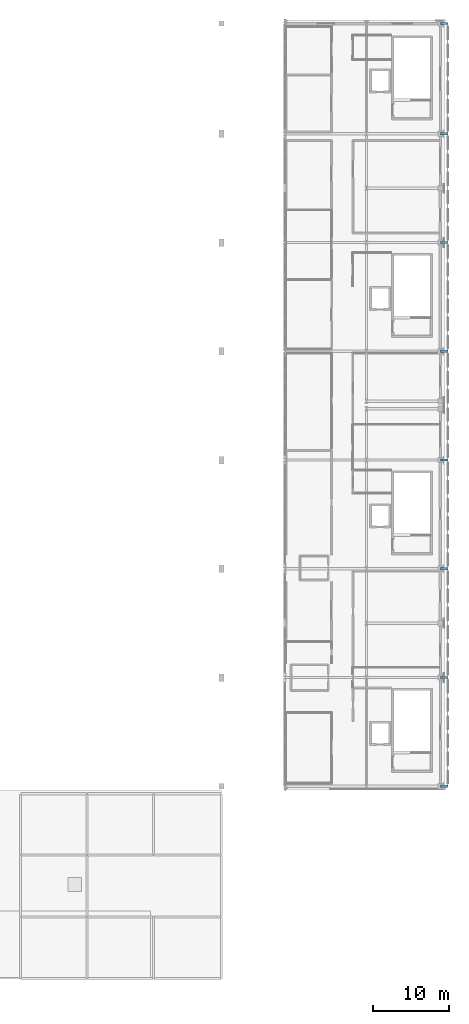
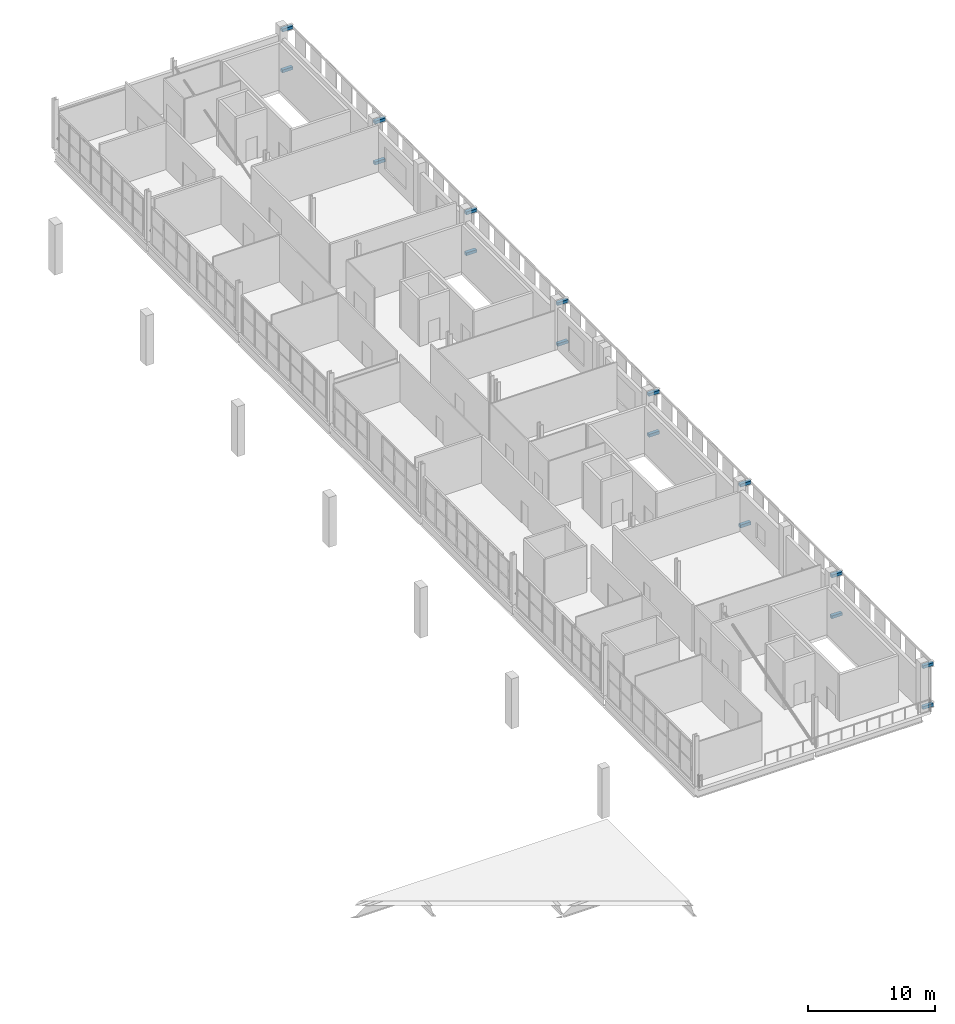
# One storey, part 41 of 51: 16 discrete accessories.
"""IFC4 building model written with IfcOpenShell, lengths in metres."""

from ifc_helpers import new_model, si_unit, direction, frame, origin, origin_2d, place, context, subcontext, project, spatial, rectangle, extrude, material, type_object, element, save


model = new_model("IFC4")

# Units and contexts
model_context = context("Model", 3, precision=1e-05, world=origin(), true_north=direction((0.0, 1.0)))
body_context = subcontext(model_context, "Body", "Model", "MODEL_VIEW")
ifc_project = project(units=[si_unit("LENGTHUNIT", "METRE"), si_unit("AREAUNIT", "SQUARE_METRE"), si_unit("VOLUMEUNIT", "CUBIC_METRE"), si_unit("PLANEANGLEUNIT", "RADIAN"), si_unit("MASSUNIT", "GRAM", prefix="KILO")], contexts=[model_context])

# Site, building, storey
site_placement = place(None, origin())
site = spatial("IfcSite", under=ifc_project, at=site_placement, CompositionType="ELEMENT")
building_placement = place(site_placement, origin())
building = spatial("IfcBuilding", under=site, at=building_placement, Name="Koshinbarg Plaza Stadium", CompositionType="ELEMENT")
storey_placement = place(building_placement, frame((0.0, 0.0, 24.60009765625)))
storey = spatial("IfcBuildingStorey", under=building, at=storey_placement, Name="L05", CompositionType="ELEMENT", Elevation=24.60009765625)

# Discrete accessories
ifc_material = material(Name="Galvanized steel facade support bracket", Category="steel")
discrete_accessory_type = type_object("IfcDiscreteAccessoryType", Name="ACC-BRACKET-01", PredefinedType="BRACKET", material=ifc_material)
for number, where, z_axis, x_axis, name in (
    (1, (218.8798828125, 25.5, 0.10986328125), (0.0, 0.0, 1.0), (1.0, 0.0, 0.0), "Outer screen support bracket E-L05-Y01"),
    (2, (218.8798828125, 25.5, 4.0400390625), (0.0, 0.0, 1.0), (1.0, 0.0, 0.0), "Outer screen support bracket E-L05-Y01"),
    (3, (218.8798828125, 39.89990234375, 0.10986328125), (0.0, 0.0, 1.0), (1.0, 0.0, 0.0), "Outer screen support bracket E-L05-Y02"),
    (4, (218.8798828125, 39.89990234375, 4.0400390625), (0.0, 0.0, 1.0), (1.0, 0.0, 0.0), "Outer screen support bracket E-L05-Y02"),
    (5, (218.8798828125, 54.300048828125, 0.10986328125), (0.0, 0.0, 1.0), (1.0, 0.0, 0.0), "Outer screen support bracket E-L05-Y03"),
    (6, (218.8798828125, 54.300048828125, 4.0400390625), (0.0, 0.0, 1.0), (1.0, 0.0, 0.0), "Outer screen support bracket E-L05-Y03"),
    (7, (218.8798828125, 68.699951171875, 0.10986328125), (0.0, 0.0, 1.0), (1.0, 0.0, 0.0), "Outer screen support bracket E-L05-Y04"),
    (8, (218.8798828125, 68.699951171875, 4.0400390625), (0.0, 0.0, 1.0), (1.0, 0.0, 0.0), "Outer screen support bracket E-L05-Y04"),
    (9, (218.8798828125, 83.10009765625, 0.10986328125), (0.0, 0.0, 1.0), (1.0, 0.0, 0.0), "Outer screen support bracket E-L05-Y05"),
    (10, (218.8798828125, 83.10009765625, 4.0400390625), (0.0, 0.0, 1.0), (1.0, 0.0, 0.0), "Outer screen support bracket E-L05-Y05"),
    (11, (218.8798828125, 97.5, 0.10986328125), (0.0, 0.0, 1.0), (1.0, 0.0, 0.0), "Outer screen support bracket E-L05-Y06"),
    (12, (218.8798828125, 97.5, 4.0400390625), (0.0, 0.0, 1.0), (1.0, 0.0, 0.0), "Outer screen support bracket E-L05-Y06"),
    (13, (218.8798828125, 111.89990234375, 0.10986328125), (0.0, 0.0, 1.0), (1.0, 0.0, 0.0), "Outer screen support bracket E-L05-Y07"),
    (14, (218.8798828125, 111.89990234375, 4.0400390625), (0.0, 0.0, 1.0), (1.0, 0.0, 0.0), "Outer screen support bracket E-L05-Y07"),
    (15, (218.8798828125, 126.5, 0.10986328125), (0.0, 0.0, 1.0), (1.0, 0.0, 0.0), "Outer screen support bracket E-L05-Y08"),
    (16, (218.8798828125, 126.5, 4.0400390625), (0.0, 0.0, 1.0), (1.0, 0.0, 0.0), "Outer screen support bracket E-L05-Y08"),
):
    element("IfcDiscreteAccessory", number, at=place(storey_placement, frame(where, z_axis=z_axis, x_axis=x_axis)), inside=storey, type_object=discrete_accessory_type, Name=name, PredefinedType="BRACKET", context=body_context, shape_type="SweptSolid", body=[
        extrude(rectangle(XDim=0.9599609375, YDim=0.300048828125, at=origin_2d()), origin(), (0.0, 0.0, 1.0), 0.280029296875),
    ])

save(model, "model.ifc")
